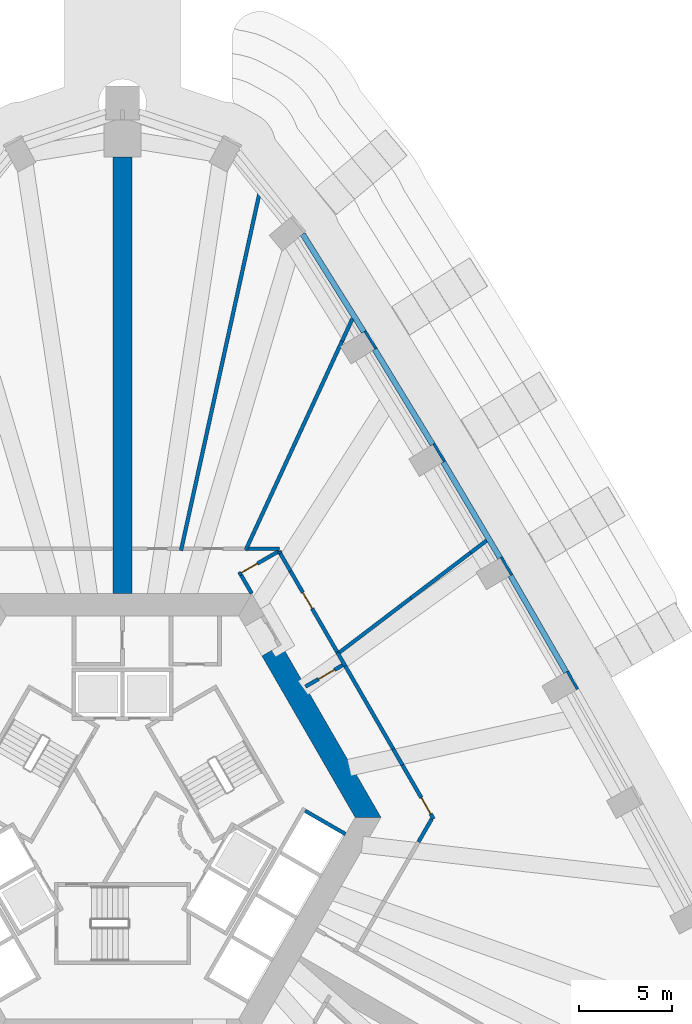
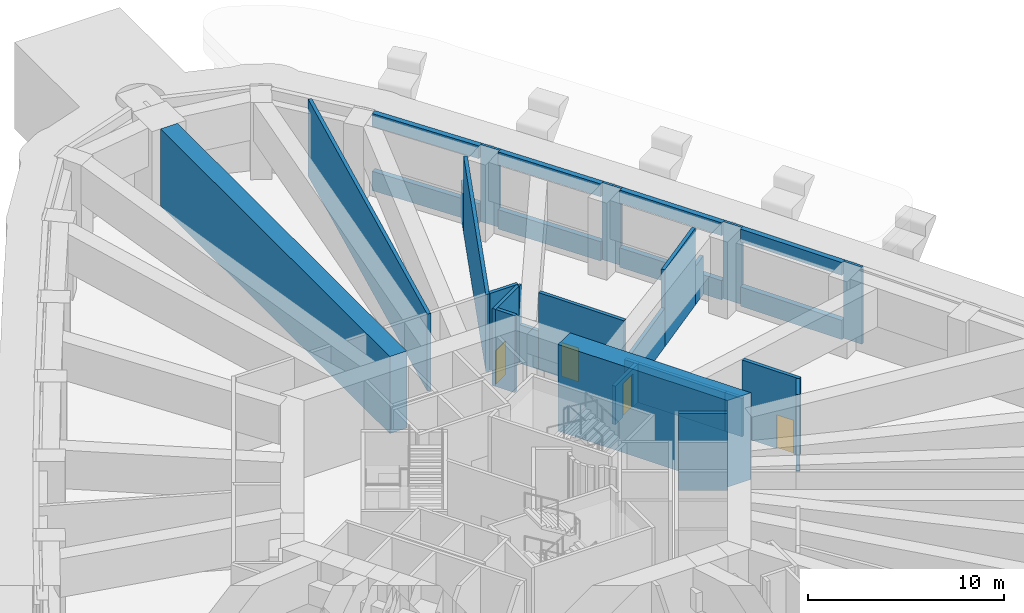
# One storey, part 9 of 20: 33 walls, 4 doors, 4 openings.
"""IFC4 building model written with IfcOpenShell, lengths in metres."""

import ifcopenshell
import ifcopenshell.guid

model = None  # the IFC model being written
_history = None  # IfcOwnerHistory: only IFC2X3 demands one
_inside = {}  # id of a spatial element -> (the spatial element, [elements in it])
_under = {}  # id of a project, library or spatial element -> (it, [spatial elements below it])
_declared = {}  # id of a project -> (the project, [libraries it declares])
_typed = {}  # id of a type object -> (the type object, [elements of that type])
_made_of = {}  # id of a material, layer set ... -> (it, [elements and type objects made of it])


def new_model(schema):
    """Start an empty IFC model of exactly this schema.

    Asked for "IFC4X3", IfcOpenShell would pick the latest addendum, in which some entities
    have other attributes; the version numbers below select the first issue.
    IFC2X3 requires an IfcOwnerHistory on every rooted entity: one is made here for all.
    """
    global model, _history
    if schema == "IFC4X3":
        model = ifcopenshell.file(schema_version=(4, 3, 0, 0))
    else:
        model = ifcopenshell.file(schema=schema)
    _inside.clear()
    _under.clear()
    _declared.clear()
    _typed.clear()
    _made_of.clear()
    _history = None
    if model.schema == "IFC2X3":
        org = make("IfcOrganization", Name="unknown")
        user = make(
            "IfcPersonAndOrganization",
            ThePerson=make("IfcPerson", FamilyName="unknown"),
            TheOrganization=org,
        )
        app = make(
            "IfcApplication",
            ApplicationDeveloper=org,
            Version="unknown",
            ApplicationFullName="unknown",
            ApplicationIdentifier="unknown",
        )
        _history = make(
            "IfcOwnerHistory",
            OwningUser=user,
            OwningApplication=app,
            ChangeAction="ADDED",
            CreationDate=0,
        )
    return model


def make(cls, **values):
    """One entity of the class cls with the attributes given. An attribute that is None is left unset."""
    return model.create_entity(
        cls, **{name: value for name, value in values.items() if value is not None}
    )


def rooted(cls, **values):
    """An entity with a GlobalId (a new one), such as an element, a storey or a relation."""
    return make(cls, GlobalId=ifcopenshell.guid.new(), OwnerHistory=_history, **values)


def si_unit(unit_type, name, prefix=None):
    """IfcSIUnit, for example si_unit("LENGTHUNIT", "METRE", prefix="MILLI")."""
    return make("IfcSIUnit", UnitType=unit_type, Prefix=prefix, Name=name)


def assignment(units):
    """IfcUnitAssignment: the units of a project."""
    return None if units is None else make("IfcUnitAssignment", Units=units)


def point(xyz):
    """IfcCartesianPoint."""
    return None if xyz is None else make("IfcCartesianPoint", Coordinates=xyz)


def direction(xyz):
    """IfcDirection."""
    return None if xyz is None else make("IfcDirection", DirectionRatios=xyz)


def frame(location, z_axis=None, x_axis=None):
    """IfcAxis2Placement3D, a coordinate frame: its origin and axes. An axis left out is left unset."""
    return make(
        "IfcAxis2Placement3D",
        Location=point(location),
        Axis=direction(z_axis),
        RefDirection=direction(x_axis),
    )


def frame_2d(location, x_axis=None):
    """IfcAxis2Placement2D, a coordinate frame in the plane: its origin and x axis."""
    return make(
        "IfcAxis2Placement2D", Location=point(location), RefDirection=direction(x_axis)
    )


def origin():
    """The frame at (0, 0, 0) with its axes left unset."""
    return frame((0.0, 0.0, 0.0))


def place(relative_to, where):
    """IfcLocalPlacement: puts the frame where relative to a parent placement (None: the world)."""
    return make(
        "IfcLocalPlacement", PlacementRelTo=relative_to, RelativePlacement=where
    )


def context(
    kind, dimensions, precision=None, world=None, true_north=None, identifier=None
):
    """IfcGeometricRepresentationContext, for example the 3D "Model" context."""
    return make(
        "IfcGeometricRepresentationContext",
        ContextIdentifier=identifier,
        ContextType=kind,
        CoordinateSpaceDimension=dimensions,
        Precision=precision,
        WorldCoordinateSystem=world,
        TrueNorth=true_north,
    )


def subcontext(parent, identifier, kind, view, scale=None):
    """IfcGeometricRepresentationSubContext, for example "Body" below "Model"."""
    return make(
        "IfcGeometricRepresentationSubContext",
        ContextIdentifier=identifier,
        ContextType=kind,
        ParentContext=parent,
        TargetScale=scale,
        TargetView=view,
    )


def project(units=None, contexts=None):
    """IfcProject with its units and contexts."""
    return rooted(
        "IfcProject",
        Name="project",
        RepresentationContexts=contexts,
        UnitsInContext=assignment(units),
    )


def spatial(cls, under=None, at=None, **own):
    """A site, building, storey or space (cls), placed at a placement, below another one or the project."""
    s = rooted(cls, ObjectPlacement=at, **own)
    if under is not None:
        _under.setdefault(under.id(), (under, []))[1].append(s)
    return s


def polyline(points):
    """IfcPolyline through the points."""
    return make("IfcPolyline", Points=[point(p) for p in points])


def profile(cls, at=None, kind="AREA", **sizes):
    """A parametric profile (cls). Its sizes go by their IFC names, for example OverallWidth=200.0."""
    return make(cls, ProfileType=kind, Position=at, **sizes)


def rectangle(**sizes):
    """IfcRectangleProfileDef."""
    return profile("IfcRectangleProfileDef", **sizes)


def outline(outer, holes=None, kind="AREA"):
    """IfcArbitraryClosedProfileDef: a profile drawn as a closed curve; with holes, ...WithVoids."""
    if holes is None:
        return make("IfcArbitraryClosedProfileDef", ProfileType=kind, OuterCurve=outer)
    return make(
        "IfcArbitraryProfileDefWithVoids",
        ProfileType=kind,
        OuterCurve=outer,
        InnerCurves=holes,
    )


def extrude(swept, where, along, depth):
    """IfcExtrudedAreaSolid: the profile swept, set in the frame where, extruded along a direction by depth."""
    return make(
        "IfcExtrudedAreaSolid",
        SweptArea=swept,
        Position=where,
        ExtrudedDirection=direction(along),
        Depth=depth,
    )


def shape(context_of_items, identifier, shape_type, items):
    """IfcShapeRepresentation: the items that make up one representation, for example the "Body"."""
    return make(
        "IfcShapeRepresentation",
        ContextOfItems=context_of_items,
        RepresentationIdentifier=identifier,
        RepresentationType=shape_type,
        Items=items,
    )


def material(Name=None, Category=None):
    """IfcMaterial."""
    return make("IfcMaterial", Name=Name, Category=Category)


def layer(
    of_material, thickness, ventilated=None, Name=None, Category=None, Priority=None
):
    """IfcMaterialLayer: one layer of a wall or slab, of a material (None: an air gap)."""
    return make(
        "IfcMaterialLayer",
        Material=of_material,
        LayerThickness=thickness,
        IsVentilated=ventilated,
        Name=Name,
        Category=Category,
        Priority=Priority,
    )


def layer_set(layers, Name=None):
    """IfcMaterialLayerSet."""
    return make("IfcMaterialLayerSet", MaterialLayers=layers, LayerSetName=Name)


def made_of(thing, what):
    """Note that an element or type object is made of a material, layer set ...; save() writes the relation."""
    if what is not None:
        _made_of.setdefault(what.id(), (what, []))[1].append(thing)
    return thing


def type_object(cls, material=None, **own):
    """A type object (cls), such as IfcWallType, which elements share."""
    return made_of(rooted(cls, **own), material)


def element(
    cls,
    number,
    at=None,
    inside=None,
    cuts=None,
    type_object=None,
    material=None,
    context=None,
    identifier="Body",
    shape_type=None,
    held_by="IfcProductDefinitionShape",
    body=None,
    shapes=None,
    **own,
):
    """One element of the class cls, such as IfcWall. Its Tag is "e" and its number.

    at: its placement. inside: the storey or other place that contains it. cuts: it is an
    opening in that element (IfcRelVoidsElement). A single representation is given by context,
    identifier, shape_type and body (its items); several are given by shapes. held_by: the class
    of the entity that holds the representations. save() writes the other relations.
    """
    e = rooted(cls, Tag="e%d" % number, ObjectPlacement=at, **own)
    if body is not None:
        shapes = [shape(context, identifier, shape_type, body)]
    if shapes is not None:
        e.Representation = make(held_by, Representations=shapes)
    if inside is not None:
        _inside.setdefault(inside.id(), (inside, []))[1].append(e)
    if cuts is not None:
        rooted(
            "IfcRelVoidsElement", RelatingBuildingElement=cuts, RelatedOpeningElement=e
        )
    if type_object is not None:
        _typed.setdefault(type_object.id(), (type_object, []))[1].append(e)
    return made_of(e, material)


def fill(opening, filler):
    """IfcRelFillsElement: the door or window that sits in an opening."""
    return rooted(
        "IfcRelFillsElement",
        RelatingOpeningElement=opening,
        RelatedBuildingElement=filler,
    )


def aggregate(whole, parts):
    """IfcRelAggregates: a whole, such as a stair, and the parts it consists of."""
    return rooted("IfcRelAggregates", RelatingObject=whole, RelatedObjects=parts)


def save(model, path):
    """Write the relations noted so far, then the file.

    IfcRelAggregates (storeys below a building ...), IfcRelContainedInSpatialStructure (elements
    in a storey), IfcRelDefinesByType, IfcRelAssociatesMaterial and IfcRelDeclares: one each for
    every whole, place, type object, material and project.
    """
    for whole, parts in _under.values():
        aggregate(whole, parts)
    for where, things in _inside.values():
        rooted(
            "IfcRelContainedInSpatialStructure",
            RelatedElements=things,
            RelatingStructure=where,
        )
    for kind, things in _typed.values():
        rooted("IfcRelDefinesByType", RelatedObjects=things, RelatingType=kind)
    for what, things in _made_of.values():
        rooted("IfcRelAssociatesMaterial", RelatedObjects=things, RelatingMaterial=what)
    for by, libraries in _declared.values():
        rooted("IfcRelDeclares", RelatingContext=by, RelatedDefinitions=libraries)
    model.write(path)


model = new_model("IFC4")

# Units and contexts
model_context = context("Model", 3, precision=1e-05, world=origin(), true_north=direction((0.0, 1.0)))
body_context = subcontext(model_context, "Body", "Model", "MODEL_VIEW")
ifc_project = project(units=[si_unit("LENGTHUNIT", "METRE"), si_unit("AREAUNIT", "SQUARE_METRE"), si_unit("VOLUMEUNIT", "CUBIC_METRE"), si_unit("PLANEANGLEUNIT", "RADIAN"), si_unit("MASSUNIT", "GRAM", prefix="KILO")], contexts=[model_context])

# Site, building, storey
site_placement = place(None, origin())
site = spatial("IfcSite", under=ifc_project, at=site_placement, CompositionType="ELEMENT")
building_placement = place(site_placement, origin())
building = spatial("IfcBuilding", under=site, at=building_placement, Name="Entoto Arch Interchange Tower", CompositionType="ELEMENT")
storey_placement = place(building_placement, frame((0.0, 0.0, 184.39990234375)))
storey = spatial("IfcBuildingStorey", under=building, at=storey_placement, Name="L41", CompositionType="ELEMENT", Elevation=184.39990234375)

# Walls
ifc_material_1 = material(Name="Concrete C50/60", Category="concrete")
ifc_layer_1 = layer(ifc_material_1, 1.199951171875)
ifc_layer_set_1 = layer_set([ifc_layer_1], Name="Concrete C50/60")
wall_type_1 = type_object("IfcWallType", Name="Core wall 1200 C50/60", PredefinedType="SHEAR", material=ifc_layer_set_1)
wall_1_placement = place(storey_placement, frame((0.0, 0.0, -0.599853515625)))
element("IfcWall", 1, at=wall_1_placement, inside=storey, type_object=wall_type_1, Name="Core wall NE L41", PredefinedType="SHEAR", context=body_context, shape_type="SweptSolid", body=[
    extrude(outline(polyline([(8.51708984375, 11.7470703125), (7.47802734375, 11.14697265625), (12.470947265625, 2.5), (13.85595703125, 2.5), (8.51708984375, 11.7470703125)])), origin(), (0.0, 0.0, 1.0), 5.39990234375),
])
ifc_material_2 = material(Name="Concrete C40/50", Category="concrete")
ifc_layer_2 = layer(ifc_material_2, 0.199951171875)
ifc_layer_set_2 = layer_set([ifc_layer_2], Name="Concrete C40/50")
wall_type_2 = type_object("IfcWallType", Name="LIFT SHAFT WALL 200", PredefinedType="STANDARD", material=ifc_layer_set_2)
wall_2_placement = place(storey_placement, frame((9.7880859375, 2.85302734375, 0.0), z_axis=(0.0, 0.0, 1.0), x_axis=(0.865998541277, -0.500046524342, 0.0)))
element("IfcWall", 2, at=wall_2_placement, inside=storey, type_object=wall_type_2, Name="Shaft wall SE3 cross 5", PredefinedType="STANDARD", context=body_context, shape_type="SweptSolid", body=[
    extrude(rectangle(XDim=2.499755859375, YDim=0.199951171875, at=frame_2d((1.25, 0.0))), origin(), (0.0, 0.0, 1.0), 4.800048828125),
])
ifc_layer_3 = layer(ifc_material_1, 1.0)
ifc_layer_set_3 = layer_set([ifc_layer_3], Name="Concrete C50/60")
wall_type_3 = type_object("IfcWallType", Name="Outrigger wall 1000 C50/60", PredefinedType="SHEAR", material=ifc_layer_set_3)
wall_3_placement = place(storey_placement, frame((0.0, 14.5, 0.0), z_axis=(0.0, 0.0, 1.0), x_axis=(0.0, 1.0, 0.0)))
element("IfcWall", 3, at=wall_3_placement, inside=storey, type_object=wall_type_3, Name="Outrigger wall N L41", PredefinedType="SHEAR", context=body_context, shape_type="SweptSolid", body=[
    extrude(rectangle(XDim=23.388916015625, YDim=1.0, at=frame_2d((11.6943359375, 0.0))), origin(), (0.0, 0.0, 1.0), 4.800048828125),
])

# Wall, opening, door
ifc_material_3 = material(Name="Gypsum board partition on steel studs", Category="steel")
ifc_layer_4 = layer(ifc_material_3, 0.199951171875)
ifc_layer_set_4 = layer_set([ifc_layer_4], Name="Gypsum board partition on steel studs")
wall_type_4 = type_object("IfcWallType", Name="PARTITION 200", PredefinedType="PARTITIONING", material=ifc_layer_set_4)
wall_4_placement = place(storey_placement, frame((11.887939453125, 10.708984375, 0.0), z_axis=(0.0, 0.0, 1.0), x_axis=(-0.865973769406, -0.500089422704, 0.0)))
wall_4 = element("IfcWall", 4, at=wall_4_placement, inside=storey, type_object=wall_type_4, Name="wall:L41:p039", PredefinedType="PARTITIONING", context=body_context, shape_type="SweptSolid", body=[
    extrude(rectangle(XDim=2.3994140625, YDim=0.199951171875, at=frame_2d((1.19970703125, 0.0))), origin(), (0.0, 0.0, 1.0), 2.400146484375),
])
opening_1_placement = place(wall_4_placement, frame((0.60009765625, 0.0, 0.0)))
opening_1 = element("IfcOpeningElement", 5, at=opening_1_placement, cuts=wall_4, Name="Opening L41-D06", PredefinedType="OPENING", context=body_context, shape_type="SweptSolid", body=[
    extrude(rectangle(XDim=1.0, YDim=2.10009765625, at=frame_2d((0.5, 1.050048828125))), frame((0.0, 0.10986328125, 0.0), z_axis=(0.0, -1.0, 0.0), x_axis=(1.0, 0.0, 0.0)), (0.0, 0.0, 1.0), 0.219970703125),
])
ifc_material_4 = material(Name="Fire-rated Steel S235 door and frame", Category="steel")
door_type = type_object("IfcDoorType", Name="DOOR FD-10 1000x2100", OperationType="SINGLE_SWING_LEFT", PredefinedType="DOOR", material=ifc_material_4)
door_1_placement = place(opening_1_placement, origin())
door_1 = element("IfcDoor", 6, at=door_1_placement, inside=storey, type_object=door_type, Name="door:L41:06", OperationType="SINGLE_SWING_RIGHT", OverallHeight=2.10009765625, OverallWidth=1.0, PredefinedType="DOOR", context=body_context, shape_type="SweptSolid", body=[
    extrude(rectangle(XDim=1.0, YDim=2.10009765625, at=frame_2d((0.5, 1.050048828125))), frame((0.0, 0.02490234375, 0.0), z_axis=(0.0, -1.0, 0.0), x_axis=(1.0, 0.0, 0.0)), (0.0, 0.0, 1.0), 0.050048828125),
])
fill(opening_1, door_1)

wall_5_placement = place(storey_placement, frame((6.222900390625, 15.52099609375, 0.0), z_axis=(0.0, 0.0, 1.0), x_axis=(0.866022959057, 0.500004234368, 0.0)))
wall_5 = element("IfcWall", 7, at=wall_5_placement, inside=storey, type_object=wall_type_4, Name="wall:L41:p040", PredefinedType="PARTITIONING", context=body_context, shape_type="SweptSolid", body=[
    extrude(rectangle(XDim=2.5, YDim=0.199951171875, at=frame_2d((1.25, 0.0))), origin(), (0.0, 0.0, 1.0), 4.800048828125),
])
opening_2_placement = place(wall_5_placement, frame((0.16796875, 0.0, 0.0)))
opening_2 = element("IfcOpeningElement", 8, at=opening_2_placement, cuts=wall_5, Name="Opening L41-D07", PredefinedType="OPENING", context=body_context, shape_type="SweptSolid", body=[
    extrude(rectangle(XDim=1.0, YDim=2.10009765625, at=frame_2d((0.5, 1.050048828125))), frame((0.0, 0.10986328125, 0.0), z_axis=(0.0, -1.0, 0.0), x_axis=(1.0, 0.0, 0.0)), (0.0, 0.0, 1.0), 0.219970703125),
])
door_2_placement = place(opening_2_placement, origin())
door_2 = element("IfcDoor", 9, at=door_2_placement, inside=storey, type_object=door_type, Name="door:L41:07", OperationType="SINGLE_SWING_LEFT", OverallHeight=2.10009765625, OverallWidth=1.0, PredefinedType="DOOR", context=body_context, shape_type="SweptSolid", body=[
    extrude(rectangle(XDim=1.0, YDim=2.10009765625, at=frame_2d((0.5, 1.050048828125))), frame((0.0, 0.02490234375, 0.0), z_axis=(0.0, -1.0, 0.0), x_axis=(1.0, 0.0, 0.0)), (0.0, 0.0, 1.0), 0.050048828125),
])
fill(opening_2, door_2)

# Walls
wall_6_placement = place(storey_placement, frame((6.360107421875, 15.48388671875, 0.0), z_axis=(0.0, 0.0, 1.0), x_axis=(0.499883687939, -0.866092546171, 0.0)))
element("IfcWall", 10, at=wall_6_placement, inside=storey, type_object=wall_type_4, Name="wall:L41:p041", PredefinedType="PARTITIONING", context=body_context, shape_type="SweptSolid", body=[
    extrude(rectangle(XDim=1.135986328125, YDim=0.199951171875, at=frame_2d((0.56787109375, 0.0))), origin(), (0.0, 0.0, 1.0), 4.800048828125),
])
wall_7_placement = place(storey_placement, frame((8.39794921875, 16.75390625, 0.0), z_axis=(0.0, 0.0, 1.0), x_axis=(0.500277597875, -0.865865073245, 0.0)))
element("IfcWall", 11, at=wall_7_placement, inside=storey, type_object=wall_type_4, Name="wall:L41:p042", PredefinedType="PARTITIONING", context=body_context, shape_type="SweptSolid", body=[
    extrude(rectangle(XDim=0.1142578125, YDim=0.199951171875, at=frame_2d((0.05712890625, 0.0))), origin(), (0.0, 0.0, 1.0), 4.800048828125),
])
wall_8_placement = place(storey_placement, frame((11.93798828125, 10.6220703125, 0.0), z_axis=(0.0, 0.0, 1.0), x_axis=(0.500069357699, -0.865985356395, 0.0)))
element("IfcWall", 12, at=wall_8_placement, inside=storey, type_object=wall_type_4, Name="wall:L41:p043", PredefinedType="PARTITIONING", context=body_context, shape_type="SweptSolid", body=[
    extrude(rectangle(XDim=5.137451171875, YDim=0.199951171875, at=frame_2d((2.56884765625, 0.0))), origin(), (0.0, 0.0, 1.0), 2.400146484375),
])
wall_9_placement = place(storey_placement, frame((16.576904296875, 2.4130859375, 0.0), z_axis=(0.0, 0.0, 1.0), x_axis=(-0.499910949922, -0.866076810767, 0.0)))
element("IfcWall", 13, at=wall_9_placement, inside=storey, type_object=wall_type_4, Name="wall:L41:p044", PredefinedType="PARTITIONING", context=body_context, shape_type="SweptSolid", body=[
    extrude(rectangle(XDim=1.420166015625, YDim=0.199951171875, at=frame_2d((0.7099609375, 0.0))), origin(), (0.0, 0.0, 1.0), 4.800048828125),
])
wall_10_placement = place(storey_placement, frame((6.740966796875, 16.89990234375, 0.0), z_axis=(0.0, 0.0, 1.0), x_axis=(1.0, 0.0, 0.0)))
element("IfcWall", 14, at=wall_10_placement, inside=storey, type_object=wall_type_4, Name="wall:L41:p045", PredefinedType="PARTITIONING", context=body_context, shape_type="SweptSolid", body=[
    extrude(rectangle(XDim=1.673095703125, YDim=0.199951171875, at=frame_2d((0.83642578125, 0.0))), origin(), (0.0, 0.0, 1.0), 4.800048828125),
])
wall_11_placement = place(storey_placement, frame((19.51611328125, 17.3359375, 0.0), z_axis=(0.0, 0.0, 1.0), x_axis=(-0.796197442737, -0.605036884974, 0.0)))
element("IfcWall", 15, at=wall_11_placement, inside=storey, type_object=wall_type_4, Name="wall:L41:p048", PredefinedType="PARTITIONING", context=body_context, shape_type="SweptSolid", body=[
    extrude(rectangle(XDim=1.067626953125, YDim=0.199951171875, at=frame_2d((0.53369140625, 0.0))), origin(), (0.0, 0.0, 1.0), 2.400146484375),
])
wall_12_placement = place(storey_placement, frame((6.59912109375, 16.80908203125, 0.0), z_axis=(0.0, 0.0, 1.0), x_axis=(0.418744831877, 0.908103939963, 0.0)))
element("IfcWall", 16, at=wall_12_placement, inside=storey, type_object=wall_type_4, Name="wall:L41:p049", PredefinedType="PARTITIONING", context=body_context, shape_type="SweptSolid", body=[
    extrude(rectangle(XDim=12.353271484375, YDim=0.199951171875, at=frame_2d((6.1767578125, 0.0))), origin(), (0.0, 0.0, 1.0), 4.800048828125),
])
wall_13_placement = place(storey_placement, frame((3.138916015625, 16.802001953125, 0.0), z_axis=(0.0, 0.0, 1.0), x_axis=(0.214411540921, 0.976743411096, 0.0)))
element("IfcWall", 17, at=wall_13_placement, inside=storey, type_object=wall_type_4, Name="wall:L41:p050", PredefinedType="PARTITIONING", context=body_context, shape_type="SweptSolid", body=[
    extrude(rectangle(XDim=20.06884765625, YDim=0.199951171875, at=frame_2d((10.034423828125, 0.0))), origin(), (0.0, 0.0, 1.0), 4.800048828125),
])
wall_14_placement = place(storey_placement, frame((8.455078125, 16.655029296875, 0.0), z_axis=(0.0, 0.0, 1.0), x_axis=(0.499968249168, -0.86604373436, 0.0)))
element("IfcWall", 18, at=wall_14_placement, inside=storey, type_object=wall_type_4, Name="wall:L41:p042", PredefinedType="PARTITIONING", context=body_context, shape_type="SweptSolid", body=[
    extrude(rectangle(XDim=1.11767578125, YDim=0.199951171875, at=frame_2d((0.558837890625, 0.0))), origin(), (0.0, 0.0, 1.0), 2.400146484375),
])

# Wall, opening, door
wall_15_placement = place(storey_placement, frame((9.013916015625, 15.68701171875, 0.0), z_axis=(0.0, 0.0, 1.0), x_axis=(0.499967322677, -0.866044269224, 0.0)))
wall_15 = element("IfcWall", 19, at=wall_15_placement, inside=storey, type_object=wall_type_4, Name="wall:L41:p042", PredefinedType="PARTITIONING", context=body_context, shape_type="SweptSolid", body=[
    extrude(rectangle(XDim=5.034423828125, YDim=0.199951171875, at=frame_2d((2.51708984375, 0.0))), origin(), (0.0, 0.0, 1.0), 4.800048828125),
])
opening_3_placement = place(wall_15_placement, frame((1.302978515625, 0.0, 0.0)))
opening_3 = element("IfcOpeningElement", 20, at=opening_3_placement, cuts=wall_15, Name="Opening L41-D08", PredefinedType="OPENING", context=body_context, shape_type="SweptSolid", body=[
    extrude(rectangle(XDim=1.0, YDim=2.10009765625, at=frame_2d((0.5, 1.050048828125))), frame((0.0, 0.10986328125, 0.0), z_axis=(0.0, -1.0, 0.0), x_axis=(1.0, 0.0, 0.0)), (0.0, 0.0, 1.0), 0.219970703125),
])
door_3_placement = place(opening_3_placement, origin())
door_3 = element("IfcDoor", 21, at=door_3_placement, inside=storey, type_object=door_type, Name="door:L41:08", OperationType="SINGLE_SWING_RIGHT", OverallHeight=2.10009765625, OverallWidth=1.0, PredefinedType="DOOR", context=body_context, shape_type="SweptSolid", body=[
    extrude(rectangle(XDim=1.0, YDim=2.10009765625, at=frame_2d((0.5, 1.050048828125))), frame((0.0, 0.02490234375, 0.0), z_axis=(0.0, -1.0, 0.0), x_axis=(1.0, 0.0, 0.0)), (0.0, 0.0, 1.0), 0.050048828125),
])
fill(opening_3, door_3)

# Walls
wall_16_placement = place(storey_placement, frame((11.531005859375, 11.326904296875, 0.0), z_axis=(0.0, 0.0, 1.0), x_axis=(0.500042693391, -0.866000753341, 0.0)))
element("IfcWall", 22, at=wall_16_placement, inside=storey, type_object=wall_type_4, Name="wall:L41:p042", PredefinedType="PARTITIONING", context=body_context, shape_type="SweptSolid", body=[
    extrude(rectangle(XDim=0.81396484375, YDim=0.199951171875, at=frame_2d((0.406982421875, 0.0))), origin(), (0.0, 0.0, 1.0), 2.400146484375),
])
wall_17_placement = place(storey_placement, frame((14.507080078125, 6.173095703125, 0.0), z_axis=(0.0, 0.0, 1.0), x_axis=(0.499162960598, -0.86650812966, 0.0)))
element("IfcWall", 23, at=wall_17_placement, inside=storey, type_object=wall_type_4, Name="wall:L41:p043", PredefinedType="PARTITIONING", context=body_context, shape_type="SweptSolid", body=[
    extrude(rectangle(XDim=1.007568359375, YDim=0.199951171875, at=frame_2d((0.50390625, 0.0))), origin(), (0.0, 0.0, 1.0), 2.400146484375),
])

# Wall, opening, door
wall_18_placement = place(storey_placement, frame((15.010009765625, 5.300048828125, 0.0), z_axis=(0.0, 0.0, 1.0), x_axis=(0.500045756281, -0.865998984772, 0.0)))
wall_18 = element("IfcWall", 24, at=wall_18_placement, inside=storey, type_object=wall_type_4, Name="wall:L41:p043", PredefinedType="PARTITIONING", context=body_context, shape_type="SweptSolid", body=[
    extrude(rectangle(XDim=3.333740234375, YDim=0.199951171875, at=frame_2d((1.6669921875, 0.0))), origin(), (0.0, 0.0, 1.0), 4.800048828125),
])
opening_4_placement = place(wall_18_placement, frame((2.01611328125, 0.0, 0.0)))
opening_4 = element("IfcOpeningElement", 25, at=opening_4_placement, cuts=wall_18, Name="Opening L41-D09", PredefinedType="OPENING", context=body_context, shape_type="SweptSolid", body=[
    extrude(rectangle(XDim=1.0, YDim=2.10009765625, at=frame_2d((0.5, 1.050048828125))), frame((0.0, 0.10986328125, 0.0), z_axis=(0.0, -1.0, 0.0), x_axis=(1.0, 0.0, 0.0)), (0.0, 0.0, 1.0), 0.219970703125),
])
door_4_placement = place(opening_4_placement, origin())
door_4 = element("IfcDoor", 26, at=door_4_placement, inside=storey, type_object=door_type, Name="door:L41:09", OperationType="SINGLE_SWING_LEFT", OverallHeight=2.10009765625, OverallWidth=1.0, PredefinedType="DOOR", context=body_context, shape_type="SweptSolid", body=[
    extrude(rectangle(XDim=1.0, YDim=2.10009765625, at=frame_2d((0.5, 1.050048828125))), frame((0.0, 0.02490234375, 0.0), z_axis=(0.0, -1.0, 0.0), x_axis=(1.0, 0.0, 0.0)), (0.0, 0.0, 1.0), 0.050048828125),
])
fill(opening_4, door_4)

# Walls
wall_19_placement = place(storey_placement, frame((18.666015625, 16.68994140625, 0.0), z_axis=(0.0, 0.0, 1.0), x_axis=(-0.796089871725, -0.605178416781, 0.0)))
element("IfcWall", 27, at=wall_19_placement, inside=storey, type_object=wall_type_4, Name="wall:L41:p048", PredefinedType="PARTITIONING", context=body_context, shape_type="SweptSolid", body=[
    extrude(rectangle(XDim=4.033447265625, YDim=0.199951171875, at=frame_2d((2.0166015625, 0.0))), origin(), (0.0, 0.0, 1.0), 4.800048828125),
])
wall_20_placement = place(storey_placement, frame((15.455078125, 14.2490234375, 0.0), z_axis=(0.0, 0.0, 1.0), x_axis=(-0.796089188828, -0.605179315106, 0.0)))
element("IfcWall", 28, at=wall_20_placement, inside=storey, type_object=wall_type_4, Name="wall:L41:p048", PredefinedType="PARTITIONING", context=body_context, shape_type="SweptSolid", body=[
    extrude(rectangle(XDim=4.89794921875, YDim=0.199951171875, at=frame_2d((2.448974609375, 0.0))), origin(), (0.0, 0.0, 1.0), 2.400146484375),
])
wall_21_placement = place(storey_placement, frame((11.77197265625, 28.027099609375, 0.0), z_axis=(0.0, 0.0, 1.0), x_axis=(0.418764526631, 0.90809485806, 0.0)))
element("IfcWall", 29, at=wall_21_placement, inside=storey, type_object=wall_type_4, Name="wall:L41:p049", PredefinedType="PARTITIONING", context=body_context, shape_type="SweptSolid", body=[
    extrude(rectangle(XDim=1.318115234375, YDim=0.199951171875, at=frame_2d((0.6591796875, 0.0))), origin(), (0.0, 0.0, 1.0), 2.400146484375),
])
ifc_material_5 = material(Name="Board-marked precast concrete C50/60", Category="concrete")
ifc_layer_5 = layer(ifc_material_5, 0.14990234375)
ifc_layer_set_5 = layer_set([ifc_layer_5], Name="Board-marked precast concrete C50/60")
wall_type_5 = type_object("IfcWallType", Name="PRECAST FRAME WALL 150", PredefinedType="STANDARD", material=ifc_layer_set_5)
wall_22_placement = place(storey_placement, frame((24.39697265625, 9.365966796875, 0.0), z_axis=(0.0, 0.0, 1.0), x_axis=(-0.494512685492, 0.869170411305, 0.0)))
element("IfcWall", 30, at=wall_22_placement, inside=storey, type_object=wall_type_5, Name="Frame pier NE04 L41", PredefinedType="STANDARD", context=body_context, shape_type="SweptSolid", body=[
    extrude(rectangle(XDim=1.099853515625, YDim=0.14990234375, at=frame_2d((0.5498046875, 0.0))), origin(), (0.0, 0.0, 1.0), 4.800048828125),
])
wall_23_placement = place(storey_placement, frame((20.865966796875, 15.4970703125, 0.0), z_axis=(0.0, 0.0, 1.0), x_axis=(-0.506505715302, 0.862236603472, 0.0)))
element("IfcWall", 31, at=wall_23_placement, inside=storey, type_object=wall_type_5, Name="Frame pier NE05 L41", PredefinedType="STANDARD", context=body_context, shape_type="SweptSolid", body=[
    extrude(rectangle(XDim=1.099365234375, YDim=0.14990234375, at=frame_2d((0.5498046875, 0.0))), origin(), (0.0, 0.0, 1.0), 4.800048828125),
])
for number, where, z_axis, x_axis, name in (
    (32, (17.262939453125, 21.5849609375, 0.0), (0.0, 0.0, 1.0), (-0.518016395059, 0.855370688328, 0.0), "Frame pier NE06 L41"),
    (33, (13.5869140625, 27.631103515625, 0.0), (0.0, 0.0, 1.0), (-0.52997899071, 0.848010771987, 0.0), "Frame pier NE07 L41"),
):
    element("IfcWall", number, at=place(storey_placement, frame(where, z_axis=z_axis, x_axis=x_axis)), inside=storey, type_object=wall_type_5, Name=name, PredefinedType="STANDARD", context=body_context, shape_type="SweptSolid", body=[
        extrude(rectangle(XDim=1.10009765625, YDim=0.14990234375, at=frame_2d((0.550048828125, 0.0))), origin(), (0.0, 0.0, 1.0), 4.800048828125),
    ])
ifc_layer_6 = layer(ifc_material_5, 0.300048828125)
ifc_layer_set_6 = layer_set([ifc_layer_6], Name="Board-marked precast concrete C50/60")
wall_type_6 = type_object("IfcWallType", Name="PRECAST FRAME WALL 300", PredefinedType="STANDARD", material=ifc_layer_set_6)
wall_24_placement = place(storey_placement, frame((23.784912109375, 10.281982421875, 0.0), z_axis=(0.0, 0.0, 1.0), x_axis=(-0.499926373932, 0.866067907642, 0.0)))
element("IfcWall", 34, at=wall_24_placement, inside=storey, type_object=wall_type_6, Name="Frame sill wall NE-04 L41", PredefinedType="STANDARD", context=body_context, shape_type="SweptSolid", body=[
    extrude(rectangle(XDim=5.9765625, YDim=0.300048828125, at=frame_2d((2.98828125, 0.0))), origin(), (0.0, 0.0, 1.0), 1.2001953125),
])
wall_25_placement = place(storey_placement, frame((23.784912109375, 10.281982421875, 4.0), z_axis=(0.0, 0.0, 1.0), x_axis=(-0.499926373932, 0.866067907642, 0.0)))
element("IfcWall", 35, at=wall_25_placement, inside=storey, type_object=wall_type_6, Name="Frame head wall NE-04 L41", PredefinedType="STANDARD", context=body_context, shape_type="SweptSolid", body=[
    extrude(rectangle(XDim=5.9765625, YDim=0.300048828125, at=frame_2d((2.98828125, 0.0))), origin(), (0.0, 0.0, 1.0), 0.800048828125),
])
wall_26_placement = place(storey_placement, frame((20.241943359375, 16.405029296875, 0.0), z_axis=(0.0, 0.0, 1.0), x_axis=(-0.510120456318, 0.860102970606, 0.0)))
element("IfcWall", 36, at=wall_26_placement, inside=storey, type_object=wall_type_6, Name="Frame sill wall NE-05 L41", PredefinedType="STANDARD", context=body_context, shape_type="SweptSolid", body=[
    extrude(rectangle(XDim=5.974853515625, YDim=0.300048828125, at=frame_2d((2.9873046875, 0.0))), origin(), (0.0, 0.0, 1.0), 1.2001953125),
])
wall_27_placement = place(storey_placement, frame((20.241943359375, 16.405029296875, 4.0), z_axis=(0.0, 0.0, 1.0), x_axis=(-0.510120456318, 0.860102970606, 0.0)))
element("IfcWall", 37, at=wall_27_placement, inside=storey, type_object=wall_type_6, Name="Frame head wall NE-05 L41", PredefinedType="STANDARD", context=body_context, shape_type="SweptSolid", body=[
    extrude(rectangle(XDim=5.974853515625, YDim=0.300048828125, at=frame_2d((2.9873046875, 0.0))), origin(), (0.0, 0.0, 1.0), 0.800048828125),
])
wall_28_placement = place(storey_placement, frame((16.6279296875, 22.485107421875, 0.0), z_axis=(0.0, 0.0, 1.0), x_axis=(-0.520441839765, 0.853897119928, 0.0)))
element("IfcWall", 38, at=wall_28_placement, inside=storey, type_object=wall_type_6, Name="Frame sill wall NE-06 L41", PredefinedType="STANDARD", context=body_context, shape_type="SweptSolid", body=[
    extrude(rectangle(XDim=5.977294921875, YDim=0.300048828125, at=frame_2d((2.98876953125, 0.0))), origin(), (0.0, 0.0, 1.0), 1.2001953125),
])
wall_29_placement = place(storey_placement, frame((16.6279296875, 22.485107421875, 4.0), z_axis=(0.0, 0.0, 1.0), x_axis=(-0.520441839765, 0.853897119928, 0.0)))
element("IfcWall", 39, at=wall_29_placement, inside=storey, type_object=wall_type_6, Name="Frame head wall NE-06 L41", PredefinedType="STANDARD", context=body_context, shape_type="SweptSolid", body=[
    extrude(rectangle(XDim=5.977294921875, YDim=0.300048828125, at=frame_2d((2.98876953125, 0.0))), origin(), (0.0, 0.0, 1.0), 0.800048828125),
])
wall_30_placement = place(storey_placement, frame((12.93994140625, 28.52294921875, 0.0), z_axis=(0.0, 0.0, 1.0), x_axis=(-0.530698032758, 0.847560970094, 0.0)))
element("IfcWall", 40, at=wall_30_placement, inside=storey, type_object=wall_type_6, Name="Frame sill wall NE-07 L41", PredefinedType="STANDARD", context=body_context, shape_type="SweptSolid", body=[
    extrude(rectangle(XDim=6.182373046875, YDim=0.300048828125, at=frame_2d((3.09130859375, 0.0))), origin(), (0.0, 0.0, 1.0), 1.2001953125),
])
wall_31_placement = place(storey_placement, frame((12.93994140625, 28.52294921875, 4.0), z_axis=(0.0, 0.0, 1.0), x_axis=(-0.530698032758, 0.847560970094, 0.0)))
element("IfcWall", 41, at=wall_31_placement, inside=storey, type_object=wall_type_6, Name="Frame head wall NE-07 L41", PredefinedType="STANDARD", context=body_context, shape_type="SweptSolid", body=[
    extrude(rectangle(XDim=6.182373046875, YDim=0.300048828125, at=frame_2d((3.09130859375, 0.0))), origin(), (0.0, 0.0, 1.0), 0.800048828125),
])

save(model, "model.ifc")
